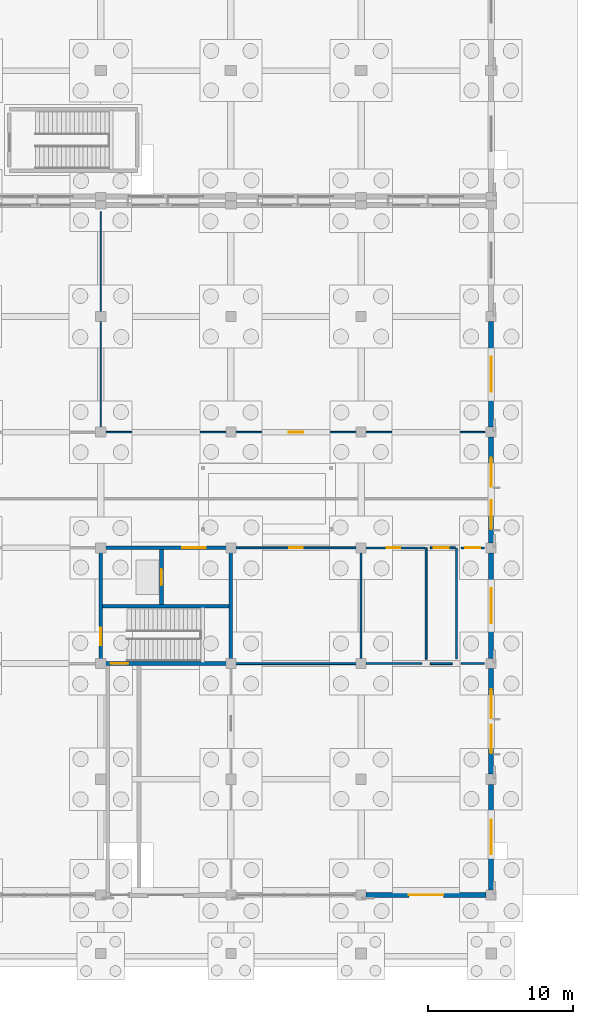
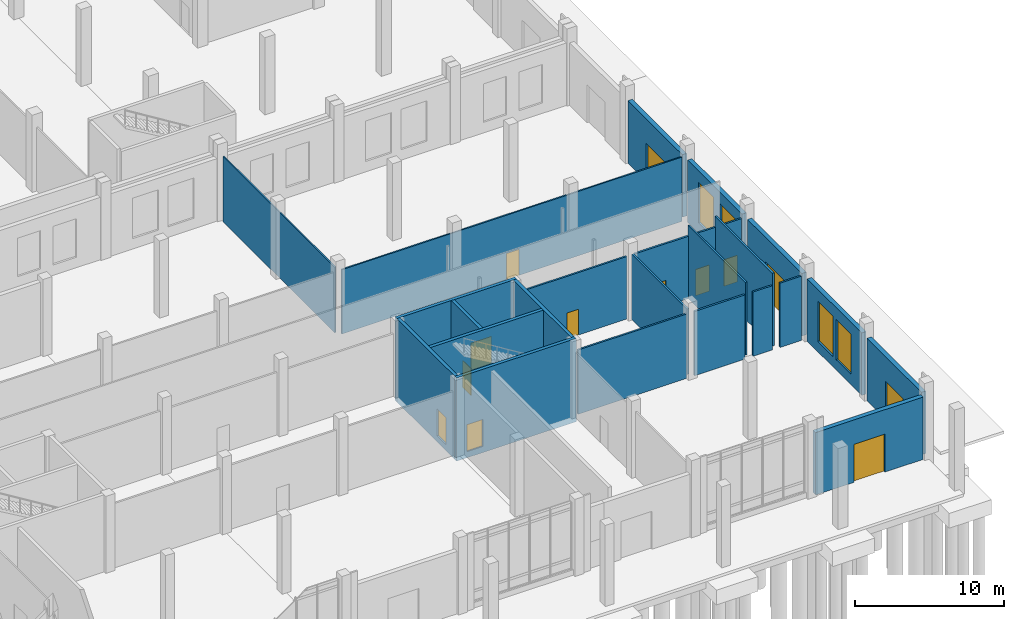
# One storey, part 68 of 99: 25 walls, 13 doors, 4 windows, 17 openings.
"""IFC4 building model written with IfcOpenShell, lengths in metres."""

from ifc_helpers import new_model, si_unit, direction, frame, frame_2d, origin, place, context, subcontext, project, spatial, rectangle, extrude, material, layer, layer_set, type_object, element, fill, save


model = new_model("IFC4")

# Units and contexts
model_context = context("Model", 3, precision=1e-05, world=origin(), true_north=direction((0.0, 1.0)))
body_context = subcontext(model_context, "Body", "Model", "MODEL_VIEW")
ifc_project = project(units=[si_unit("LENGTHUNIT", "METRE"), si_unit("AREAUNIT", "SQUARE_METRE"), si_unit("VOLUMEUNIT", "CUBIC_METRE"), si_unit("PLANEANGLEUNIT", "RADIAN"), si_unit("MASSUNIT", "GRAM", prefix="KILO")], contexts=[model_context])

# Site, building, storey
site_placement = place(None, origin())
site = spatial("IfcSite", under=ifc_project, at=site_placement, CompositionType="ELEMENT")
building_placement = place(site_placement, origin())
building = spatial("IfcBuilding", under=site, at=building_placement, Name="Zacnel Wholesale Market", CompositionType="ELEMENT")
storey_placement = place(building_placement, origin())
storey = spatial("IfcBuildingStorey", under=building, at=storey_placement, Name="L01", CompositionType="ELEMENT", Elevation=0.0)

# Wall, opening, door
ifc_material_1 = material(Name="Concrete C40/50", Category="concrete")
ifc_layer_1 = layer(ifc_material_1, 0.25)
ifc_layer_set_1 = layer_set([ifc_layer_1], Name="Concrete C40/50")
wall_type_1 = type_object("IfcWallType", Name="WL-CORE-SW250", PredefinedType="SOLIDWALL", material=ifc_layer_set_1)
wall_1_placement = place(storey_placement, frame((198.125, 16.0, -0.5), z_axis=(0.0, 0.0, 1.0), x_axis=(-1.0, 0.0, 0.0)))
wall_1 = element("IfcWall", 1, at=wall_1_placement, inside=storey, type_object=wall_type_1, Name="Core C2 south shear wall L01", PredefinedType="SOLIDWALL", context=body_context, shape_type="SweptSolid", body=[
    extrude(rectangle(XDim=9.25, YDim=0.25, at=frame_2d((4.625, 0.0))), origin(), (0.0, 0.0, 1.0), 6.800048828125),
])
opening_1_placement = place(wall_1_placement, frame((7.22509765625, 0.0, 0.5)))
opening_1 = element("IfcOpeningElement", 2, at=opening_1_placement, cuts=wall_1, Name="Opening FD-01", PredefinedType="OPENING", context=body_context, shape_type="SweptSolid", body=[
    extrude(rectangle(XDim=1.199951171875, YDim=2.199951171875, at=frame_2d((0.60009765625, 1.10009765625))), frame((0.0, 0.135009765625, 0.0), z_axis=(0.0, -1.0, 0.0), x_axis=(1.0, 0.0, 0.0)), (0.0, 0.0, 1.0), 0.27001953125),
])
ifc_material_2 = material(Name="Galvanized steel", Category="steel")
door_type_1 = type_object("IfcDoorType", Name="DR-FIRE-STAIR-1200", OperationType="NOTDEFINED", PredefinedType="DOOR", material=ifc_material_2)
door_1_placement = place(opening_1_placement, origin())
door_1 = element("IfcDoor", 3, at=door_1_placement, inside=storey, type_object=door_type_1, Name="Protected stair exit passage fire door C2 L01", OperationType="SINGLE_SWING_LEFT", OverallHeight=2.199951171875, OverallWidth=1.199951171875, PredefinedType="DOOR", context=body_context, shape_type="SweptSolid", body=[
    extrude(rectangle(XDim=1.199951171875, YDim=2.199951171875, at=frame_2d((0.60009765625, 1.10009765625))), frame((0.0, 0.02490234375, 0.0), z_axis=(0.0, -1.0, 0.0), x_axis=(1.0, 0.0, 0.0)), (0.0, 0.0, 1.0), 0.050048828125),
])
fill(opening_1, door_1)

wall_2_placement = place(storey_placement, frame((188.875, 24.0, -0.5), z_axis=(0.0, 0.0, 1.0), x_axis=(1.0, 0.0, 0.0)))
wall_2 = element("IfcWall", 4, at=wall_2_placement, inside=storey, type_object=wall_type_1, Name="Core C2 north shear wall L01", PredefinedType="SOLIDWALL", context=body_context, shape_type="SweptSolid", body=[
    extrude(rectangle(XDim=9.25, YDim=0.25, at=frame_2d((4.625, 0.0))), origin(), (0.0, 0.0, 1.0), 6.800048828125),
])
opening_2_placement = place(wall_2_placement, frame((5.77490234375, 0.0, 0.5)))
opening_2 = element("IfcOpeningElement", 5, at=opening_2_placement, cuts=wall_2, Name="Opening FD-02", PredefinedType="OPENING", context=body_context, shape_type="SweptSolid", body=[
    extrude(rectangle(XDim=1.60009765625, YDim=2.199951171875, at=frame_2d((0.800048828125, 1.10009765625))), frame((0.0, 0.135009765625, 0.0), z_axis=(0.0, -1.0, 0.0), x_axis=(1.0, 0.0, 0.0)), (0.0, 0.0, 1.0), 0.27001953125),
])
ifc_material_3 = material(Name="Galvanized steel", Category="steel")
door_type_2 = type_object("IfcDoorType", Name="DR-FIRE-LOBBY-1600", OperationType="NOTDEFINED", PredefinedType="DOOR", material=ifc_material_3)
door_2_placement = place(opening_2_placement, origin())
door_2 = element("IfcDoor", 6, at=door_2_placement, inside=storey, type_object=door_type_2, Name="Core lift lobby fire door C2 L01", OperationType="SINGLE_SWING_RIGHT", OverallHeight=2.199951171875, OverallWidth=1.60009765625, PredefinedType="DOOR", context=body_context, shape_type="SweptSolid", body=[
    extrude(rectangle(XDim=1.60009765625, YDim=2.199951171875, at=frame_2d((0.800048828125, 1.10009765625))), frame((0.0, 0.02490234375, 0.0), z_axis=(0.0, -1.0, 0.0), x_axis=(1.0, 0.0, 0.0)), (0.0, 0.0, 1.0), 0.050048828125),
])
fill(opening_2, door_2)

wall_3_placement = place(storey_placement, frame((189.0, 16.125, -0.5), z_axis=(0.0, 0.0, 1.0), x_axis=(0.0, 1.0, 0.0)))
wall_3 = element("IfcWall", 7, at=wall_3_placement, inside=storey, type_object=wall_type_1, Name="Core C2 west shear wall L01", PredefinedType="SOLIDWALL", context=body_context, shape_type="SweptSolid", body=[
    extrude(rectangle(XDim=7.75, YDim=0.25, at=frame_2d((3.875, 0.0))), origin(), (0.0, 0.0, 1.0), 6.800048828125),
])
opening_3_placement = place(wall_3_placement, frame((1.14990234375, 0.0, 0.5)))
opening_3 = element("IfcOpeningElement", 8, at=opening_3_placement, cuts=wall_3, Name="Opening FD-01", PredefinedType="OPENING", context=body_context, shape_type="SweptSolid", body=[
    extrude(rectangle(XDim=1.199951171875, YDim=2.199951171875, at=frame_2d((0.60009765625, 1.10009765625))), frame((0.0, 0.135009765625, 0.0), z_axis=(0.0, -1.0, 0.0), x_axis=(1.0, 0.0, 0.0)), (0.0, 0.0, 1.0), 0.27001953125),
])
door_3_placement = place(opening_3_placement, origin())
door_3 = element("IfcDoor", 9, at=door_3_placement, inside=storey, type_object=door_type_1, Name="Protected stair fire door C2 L01", OperationType="SINGLE_SWING_LEFT", OverallHeight=2.199951171875, OverallWidth=1.199951171875, PredefinedType="DOOR", context=body_context, shape_type="SweptSolid", body=[
    extrude(rectangle(XDim=1.199951171875, YDim=2.199951171875, at=frame_2d((0.60009765625, 1.10009765625))), frame((0.0, 0.02490234375, 0.0), z_axis=(0.0, -1.0, 0.0), x_axis=(1.0, 0.0, 0.0)), (0.0, 0.0, 1.0), 0.050048828125),
])
fill(opening_3, door_3)

# Walls
wall_4_placement = place(storey_placement, frame((198.0, 16.125, -0.5), z_axis=(0.0, 0.0, 1.0), x_axis=(0.0, 1.0, 0.0)))
element("IfcWall", 10, at=wall_4_placement, inside=storey, type_object=wall_type_1, Name="Core C2 east shear wall L01", PredefinedType="SOLIDWALL", context=body_context, shape_type="SweptSolid", body=[
    extrude(rectangle(XDim=7.75, YDim=0.25, at=frame_2d((3.875, 0.0))), origin(), (0.0, 0.0, 1.0), 6.800048828125),
])
wall_5_placement = place(storey_placement, frame((189.125, 19.949951171875, -0.5), z_axis=(0.0, 0.0, 1.0), x_axis=(1.0, 0.0, 0.0)))
element("IfcWall", 11, at=wall_5_placement, inside=storey, type_object=wall_type_1, Name="Core C2 stair-shaft shear wall L01", PredefinedType="SOLIDWALL", context=body_context, shape_type="SweptSolid", body=[
    extrude(rectangle(XDim=8.75, YDim=0.25, at=frame_2d((4.375, 0.0))), origin(), (0.0, 0.0, 1.0), 6.800048828125),
])

# Wall, opening, door
wall_6_placement = place(storey_placement, frame((193.199951171875, 20.074951171875, -0.5), z_axis=(0.0, 0.0, 1.0), x_axis=(0.0, 1.0, 0.0)))
wall_6 = element("IfcWall", 12, at=wall_6_placement, inside=storey, type_object=wall_type_1, Name="Core C2 lift shaft front wall L01", PredefinedType="SOLIDWALL", context=body_context, shape_type="SweptSolid", body=[
    extrude(rectangle(XDim=3.800048828125, YDim=0.25, at=frame_2d((1.89990234375, 0.0))), origin(), (0.0, 0.0, 1.0), 6.800048828125),
])
opening_4_placement = place(wall_6_placement, frame((1.35009765625, 0.0, 0.5)))
opening_4 = element("IfcOpeningElement", 13, at=opening_4_placement, cuts=wall_6, Name="Opening LD-01", PredefinedType="OPENING", context=body_context, shape_type="SweptSolid", body=[
    extrude(rectangle(XDim=1.10009765625, YDim=2.199951171875, at=frame_2d((0.550048828125, 1.10009765625))), frame((0.0, 0.135009765625, 0.0), z_axis=(0.0, -1.0, 0.0), x_axis=(1.0, 0.0, 0.0)), (0.0, 0.0, 1.0), 0.27001953125),
])
ifc_material_4 = material(Name="Galvanized steel", Category="steel")
door_type_3 = type_object("IfcDoorType", Name="DR-LIFT-PASS-1100", OperationType="NOTDEFINED", PredefinedType="DOOR", material=ifc_material_4)
door_4_placement = place(opening_4_placement, origin())
door_4 = element("IfcDoor", 14, at=door_4_placement, inside=storey, type_object=door_type_3, Name="Lift landing door LP-02 L01", OperationType="SLIDING_TO_LEFT", OverallHeight=2.199951171875, OverallWidth=1.10009765625, PredefinedType="DOOR", context=body_context, shape_type="SweptSolid", body=[
    extrude(rectangle(XDim=1.10009765625, YDim=2.199951171875, at=frame_2d((0.550048828125, 1.10009765625))), frame((0.0, 0.02490234375, 0.0), z_axis=(0.0, -1.0, 0.0), x_axis=(1.0, 0.0, 0.0)), (0.0, 0.0, 1.0), 0.050048828125),
])
fill(opening_4, door_4)

ifc_material_5 = material(Name="Precast concrete C40/50 (Cancun limestone aggregate)", Category="masonry")
ifc_layer_2 = layer(ifc_material_5, 0.340087890625)
ifc_layer_set_2 = layer_set([ifc_layer_2], Name="Precast concrete C40/50 (Cancun limestone aggregate)")
wall_type_2 = type_object("IfcWallType", Name="WL-EXT-LIME-340", PredefinedType="SOLIDWALL", material=ifc_layer_set_2)
wall_7_placement = place(storey_placement, frame((207.35009765625, 0.0, 0.0), z_axis=(0.0, 0.0, 1.0), x_axis=(1.0, 0.0, 0.0)))
wall_7 = element("IfcWall", 15, at=wall_7_placement, inside=storey, type_object=wall_type_2, Name="Exterior wall L01-0103", PredefinedType="SOLIDWALL", context=body_context, shape_type="SweptSolid", body=[
    extrude(rectangle(XDim=8.2998046875, YDim=0.340087890625, at=frame_2d((4.14990234375, 0.0))), origin(), (0.0, 0.0, 1.0), 5.10009765625),
])
opening_5_placement = place(wall_7_placement, frame((2.949951171875, 0.0, 0.0)))
opening_5 = element("IfcOpeningElement", 16, at=opening_5_placement, cuts=wall_7, Name="Opening ED-01", PredefinedType="OPENING", context=body_context, shape_type="SweptSolid", body=[
    extrude(rectangle(XDim=2.39990234375, YDim=3.10009765625, at=frame_2d((1.199951171875, 1.550048828125))), frame((0.0, 0.179931640625, 0.0), z_axis=(0.0, -1.0, 0.0), x_axis=(1.0, 0.0, 0.0)), (0.0, 0.0, 1.0), 0.360107421875),
])
ifc_material_6 = material(Name="Anodised aluminium", Category="aluminium")
door_type_4 = type_object("IfcDoorType", Name="DR-EXT-PORTAL-2400", OperationType="NOTDEFINED", PredefinedType="DOOR", material=ifc_material_6)
door_5_placement = place(opening_5_placement, origin())
door_5 = element("IfcDoor", 17, at=door_5_placement, inside=storey, type_object=door_type_4, Name="Boulevard entrance portal 029", OperationType="DOUBLE_DOOR_SINGLE_SWING", OverallHeight=3.10009765625, OverallWidth=2.39990234375, PredefinedType="DOOR", context=body_context, shape_type="SweptSolid", body=[
    extrude(rectangle(XDim=2.39990234375, YDim=3.10009765625, at=frame_2d((1.199951171875, 1.550048828125))), frame((0.0, 0.02490234375, 0.0), z_axis=(0.0, -1.0, 0.0), x_axis=(1.0, 0.0, 0.0)), (0.0, 0.0, 1.0), 0.050048828125),
])
fill(opening_5, door_5)

wall_8_placement = place(storey_placement, frame((216.0, 0.35009765625, 0.0), z_axis=(0.0, 0.0, 1.0), x_axis=(0.0, 1.0, 0.0)))
wall_8 = element("IfcWall", 18, at=wall_8_placement, inside=storey, type_object=wall_type_2, Name="Exterior wall L01-0118", PredefinedType="SOLIDWALL", context=body_context, shape_type="SweptSolid", body=[
    extrude(rectangle(XDim=7.2998046875, YDim=0.340087890625, at=frame_2d((3.64990234375, 0.0))), origin(), (0.0, 0.0, 1.0), 5.10009765625),
])
opening_6_placement = place(wall_8_placement, frame((2.449951171875, 0.0, 0.0)))
opening_6 = element("IfcOpeningElement", 19, at=opening_6_placement, cuts=wall_8, Name="Opening ED-01", PredefinedType="OPENING", context=body_context, shape_type="SweptSolid", body=[
    extrude(rectangle(XDim=2.39990234375, YDim=3.10009765625, at=frame_2d((1.199951171875, 1.550048828125))), frame((0.0, 0.179931640625, 0.0), z_axis=(0.0, -1.0, 0.0), x_axis=(1.0, 0.0, 0.0)), (0.0, 0.0, 1.0), 0.360107421875),
])
door_6_placement = place(opening_6_placement, origin())
door_6 = element("IfcDoor", 20, at=door_6_placement, inside=storey, type_object=door_type_4, Name="Boulevard entrance portal 030", OperationType="DOUBLE_DOOR_SINGLE_SWING", OverallHeight=3.10009765625, OverallWidth=2.39990234375, PredefinedType="DOOR", context=body_context, shape_type="SweptSolid", body=[
    extrude(rectangle(XDim=2.39990234375, YDim=3.10009765625, at=frame_2d((1.199951171875, 1.550048828125))), frame((0.0, 0.02490234375, 0.0), z_axis=(0.0, -1.0, 0.0), x_axis=(1.0, 0.0, 0.0)), (0.0, 0.0, 1.0), 0.050048828125),
])
fill(opening_6, door_6)

# Wall, openings, windows
wall_9_placement = place(storey_placement, frame((216.0, 8.35009765625, 0.0), z_axis=(0.0, 0.0, 1.0), x_axis=(0.0, 1.0, 0.0)))
wall_9 = element("IfcWall", 21, at=wall_9_placement, inside=storey, type_object=wall_type_2, Name="Exterior wall L01-0119", PredefinedType="SOLIDWALL", context=body_context, shape_type="SweptSolid", body=[
    extrude(rectangle(XDim=7.2998046875, YDim=0.340087890625, at=frame_2d((3.64990234375, 0.0))), origin(), (0.0, 0.0, 1.0), 5.10009765625),
])
opening_7_placement = place(wall_9_placement, frame((1.43310546875, 0.0, 0.85009765625)))
opening_7 = element("IfcOpeningElement", 22, at=opening_7_placement, cuts=wall_9, Name="Opening W-02", PredefinedType="OPENING", context=body_context, shape_type="SweptSolid", body=[
    extrude(rectangle(XDim=2.0, YDim=3.300048828125, at=frame_2d((1.0, 1.64990234375))), frame((0.0, 0.179931640625, 0.0), z_axis=(0.0, -1.0, 0.0), x_axis=(1.0, 0.0, 0.0)), (0.0, 0.0, 1.0), 0.360107421875),
])
opening_8_placement = place(wall_9_placement, frame((3.866943359375, 0.0, 0.85009765625)))
opening_8 = element("IfcOpeningElement", 23, at=opening_8_placement, cuts=wall_9, Name="Opening W-02", PredefinedType="OPENING", context=body_context, shape_type="SweptSolid", body=[
    extrude(rectangle(XDim=2.0, YDim=3.300048828125, at=frame_2d((1.0, 1.64990234375))), frame((0.0, 0.179931640625, 0.0), z_axis=(0.0, -1.0, 0.0), x_axis=(1.0, 0.0, 0.0)), (0.0, 0.0, 1.0), 0.360107421875),
])
ifc_material_7 = material(Name="Laminated hurricane-impact low-E insulated glass", Category="glass")
window_type = type_object("IfcWindowType", Name="WIN-DEC-2000X3300", PartitioningType="DOUBLE_PANEL_VERTICAL", PredefinedType="WINDOW", material=ifc_material_7)
window_1_placement = place(opening_7_placement, origin())
window_1 = element("IfcWindow", 24, at=window_1_placement, inside=storey, type_object=window_type, Name="Window L01-0118", OverallHeight=3.300048828125, OverallWidth=2.0, PartitioningType="DOUBLE_PANEL_VERTICAL", PredefinedType="WINDOW", context=body_context, shape_type="SweptSolid", body=[
    extrude(rectangle(XDim=2.0, YDim=3.300048828125, at=frame_2d((1.0, 1.64990234375))), frame((0.0, 0.030029296875, 0.0), z_axis=(0.0, -1.0, 0.0), x_axis=(1.0, 0.0, 0.0)), (0.0, 0.0, 1.0), 0.06005859375),
])
fill(opening_7, window_1)
window_2_placement = place(opening_8_placement, origin())
window_2 = element("IfcWindow", 25, at=window_2_placement, inside=storey, type_object=window_type, Name="Window L01-0119", OverallHeight=3.300048828125, OverallWidth=2.0, PartitioningType="DOUBLE_PANEL_VERTICAL", PredefinedType="WINDOW", context=body_context, shape_type="SweptSolid", body=[
    extrude(rectangle(XDim=2.0, YDim=3.300048828125, at=frame_2d((1.0, 1.64990234375))), frame((0.0, 0.030029296875, 0.0), z_axis=(0.0, -1.0, 0.0), x_axis=(1.0, 0.0, 0.0)), (0.0, 0.0, 1.0), 0.06005859375),
])
fill(opening_8, window_2)

# Wall, opening, door
wall_10_placement = place(storey_placement, frame((216.0, 16.35009765625, 0.0), z_axis=(0.0, 0.0, 1.0), x_axis=(0.0, 1.0, 0.0)))
wall_10 = element("IfcWall", 26, at=wall_10_placement, inside=storey, type_object=wall_type_2, Name="Exterior wall L01-0120", PredefinedType="SOLIDWALL", context=body_context, shape_type="SweptSolid", body=[
    extrude(rectangle(XDim=7.2998046875, YDim=0.340087890625, at=frame_2d((3.64990234375, 0.0))), origin(), (0.0, 0.0, 1.0), 5.10009765625),
])
opening_9_placement = place(wall_10_placement, frame((2.449951171875, 0.0, 0.0)))
opening_9 = element("IfcOpeningElement", 27, at=opening_9_placement, cuts=wall_10, Name="Opening ED-01", PredefinedType="OPENING", context=body_context, shape_type="SweptSolid", body=[
    extrude(rectangle(XDim=2.39990234375, YDim=3.10009765625, at=frame_2d((1.199951171875, 1.550048828125))), frame((0.0, 0.179931640625, 0.0), z_axis=(0.0, -1.0, 0.0), x_axis=(1.0, 0.0, 0.0)), (0.0, 0.0, 1.0), 0.360107421875),
])
door_7_placement = place(opening_9_placement, origin())
door_7 = element("IfcDoor", 28, at=door_7_placement, inside=storey, type_object=door_type_4, Name="Boulevard entrance portal 031", OperationType="DOUBLE_DOOR_SINGLE_SWING", OverallHeight=3.10009765625, OverallWidth=2.39990234375, PredefinedType="DOOR", context=body_context, shape_type="SweptSolid", body=[
    extrude(rectangle(XDim=2.39990234375, YDim=3.10009765625, at=frame_2d((1.199951171875, 1.550048828125))), frame((0.0, 0.02490234375, 0.0), z_axis=(0.0, -1.0, 0.0), x_axis=(1.0, 0.0, 0.0)), (0.0, 0.0, 1.0), 0.050048828125),
])
fill(opening_9, door_7)

# Wall, openings, windows
wall_11_placement = place(storey_placement, frame((216.0, 24.35009765625, 0.0), z_axis=(0.0, 0.0, 1.0), x_axis=(0.0, 1.0, 0.0)))
wall_11 = element("IfcWall", 29, at=wall_11_placement, inside=storey, type_object=wall_type_2, Name="Exterior wall L01-0121", PredefinedType="SOLIDWALL", context=body_context, shape_type="SweptSolid", body=[
    extrude(rectangle(XDim=7.2998046875, YDim=0.340087890625, at=frame_2d((3.64990234375, 0.0))), origin(), (0.0, 0.0, 1.0), 5.10009765625),
])
opening_10_placement = place(wall_11_placement, frame((0.93701171875, 0.0, 0.85009765625)))
opening_10 = element("IfcOpeningElement", 30, at=opening_10_placement, cuts=wall_11, Name="Opening W-02", PredefinedType="OPENING", context=body_context, shape_type="SweptSolid", body=[
    extrude(rectangle(XDim=2.0, YDim=3.300048828125, at=frame_2d((1.0, 1.64990234375))), frame((0.0, 0.179931640625, 0.0), z_axis=(0.0, -1.0, 0.0), x_axis=(1.0, 0.0, 0.0)), (0.0, 0.0, 1.0), 0.360107421875),
])
opening_11_placement = place(wall_11_placement, frame((3.866943359375, 0.0, 0.85009765625)))
opening_11 = element("IfcOpeningElement", 31, at=opening_11_placement, cuts=wall_11, Name="Opening W-02", PredefinedType="OPENING", context=body_context, shape_type="SweptSolid", body=[
    extrude(rectangle(XDim=2.0, YDim=3.300048828125, at=frame_2d((1.0, 1.64990234375))), frame((0.0, 0.179931640625, 0.0), z_axis=(0.0, -1.0, 0.0), x_axis=(1.0, 0.0, 0.0)), (0.0, 0.0, 1.0), 0.360107421875),
])
window_3_placement = place(opening_10_placement, origin())
window_3 = element("IfcWindow", 32, at=window_3_placement, inside=storey, type_object=window_type, Name="Window L01-0120", OverallHeight=3.300048828125, OverallWidth=2.0, PartitioningType="DOUBLE_PANEL_VERTICAL", PredefinedType="WINDOW", context=body_context, shape_type="SweptSolid", body=[
    extrude(rectangle(XDim=2.0, YDim=3.300048828125, at=frame_2d((1.0, 1.64990234375))), frame((0.0, 0.030029296875, 0.0), z_axis=(0.0, -1.0, 0.0), x_axis=(1.0, 0.0, 0.0)), (0.0, 0.0, 1.0), 0.06005859375),
])
fill(opening_10, window_3)
window_4_placement = place(opening_11_placement, origin())
window_4 = element("IfcWindow", 33, at=window_4_placement, inside=storey, type_object=window_type, Name="Window L01-0121", OverallHeight=3.300048828125, OverallWidth=2.0, PartitioningType="DOUBLE_PANEL_VERTICAL", PredefinedType="WINDOW", context=body_context, shape_type="SweptSolid", body=[
    extrude(rectangle(XDim=2.0, YDim=3.300048828125, at=frame_2d((1.0, 1.64990234375))), frame((0.0, 0.030029296875, 0.0), z_axis=(0.0, -1.0, 0.0), x_axis=(1.0, 0.0, 0.0)), (0.0, 0.0, 1.0), 0.06005859375),
])
fill(opening_11, window_4)

# Wall, opening, door
wall_12_placement = place(storey_placement, frame((216.0, 32.35009765625, 0.0), z_axis=(0.0, 0.0, 1.0), x_axis=(0.0, 1.0, 0.0)))
wall_12 = element("IfcWall", 34, at=wall_12_placement, inside=storey, type_object=wall_type_2, Name="Exterior wall L01-0122", PredefinedType="SOLIDWALL", context=body_context, shape_type="SweptSolid", body=[
    extrude(rectangle(XDim=7.2998046875, YDim=0.340087890625, at=frame_2d((3.64990234375, 0.0))), origin(), (0.0, 0.0, 1.0), 5.10009765625),
])
opening_12_placement = place(wall_12_placement, frame((2.449951171875, 0.0, 0.0)))
opening_12 = element("IfcOpeningElement", 35, at=opening_12_placement, cuts=wall_12, Name="Opening ED-01", PredefinedType="OPENING", context=body_context, shape_type="SweptSolid", body=[
    extrude(rectangle(XDim=2.39990234375, YDim=3.10009765625, at=frame_2d((1.199951171875, 1.550048828125))), frame((0.0, 0.179931640625, 0.0), z_axis=(0.0, -1.0, 0.0), x_axis=(1.0, 0.0, 0.0)), (0.0, 0.0, 1.0), 0.360107421875),
])
door_8_placement = place(opening_12_placement, origin())
door_8 = element("IfcDoor", 36, at=door_8_placement, inside=storey, type_object=door_type_4, Name="Boulevard entrance portal 032", OperationType="DOUBLE_DOOR_SINGLE_SWING", OverallHeight=3.10009765625, OverallWidth=2.39990234375, PredefinedType="DOOR", context=body_context, shape_type="SweptSolid", body=[
    extrude(rectangle(XDim=2.39990234375, YDim=3.10009765625, at=frame_2d((1.199951171875, 1.550048828125))), frame((0.0, 0.02490234375, 0.0), z_axis=(0.0, -1.0, 0.0), x_axis=(1.0, 0.0, 0.0)), (0.0, 0.0, 1.0), 0.050048828125),
])
fill(opening_12, door_8)

# Wall
ifc_material_8 = material(Name="Moisture-resistant gypsum board partition")
ifc_layer_3 = layer(ifc_material_8, 0.10009765625)
ifc_layer_set_3 = layer_set([ifc_layer_3], Name="Moisture-resistant gypsum board partition")
wall_type_3 = type_object("IfcWallType", Name="WL-PART-GYP100", PredefinedType="PARTITIONING", material=ifc_layer_set_3)
wall_13_placement = place(storey_placement, frame((189.0, 32.300048828125, 0.0), z_axis=(0.0, 0.0, 1.0), x_axis=(0.0, 1.0, 0.0)))
element("IfcWall", 37, at=wall_13_placement, inside=storey, type_object=wall_type_3, Name="Interior partition L01-0056", PredefinedType="PARTITIONING", context=body_context, shape_type="SweptSolid", body=[
    extrude(rectangle(XDim=14.949951171875, YDim=0.10009765625, at=frame_2d((7.47509765625, 0.0))), origin(), (0.0, 0.0, 1.0), 5.35009765625),
])

# Wall, opening, door
ifc_material_9 = material(Name="Moisture-resistant gypsum board partition")
ifc_layer_4 = layer(ifc_material_9, 0.110107421875)
ifc_layer_set_4 = layer_set([ifc_layer_4], Name="Moisture-resistant gypsum board partition")
wall_type_4 = type_object("IfcWallType", Name="WL-PART-GYP110", PredefinedType="PARTITIONING", material=ifc_layer_set_4)
wall_14_placement = place(storey_placement, frame((189.300048828125, 32.0, 0.0), z_axis=(0.0, 0.0, 1.0), x_axis=(1.0, 0.0, 0.0)))
wall_14 = element("IfcWall", 38, at=wall_14_placement, inside=storey, type_object=wall_type_4, Name="Interior partition L01-0051", PredefinedType="PARTITIONING", context=body_context, shape_type="SweptSolid", body=[
    extrude(rectangle(XDim=26.25, YDim=0.110107421875, at=frame_2d((13.125, 0.0))), origin(), (0.0, 0.0, 1.0), 5.25),
])
opening_13_placement = place(wall_14_placement, frame((12.7099609375, 0.0, 0.0)))
opening_13 = element("IfcOpeningElement", 39, at=opening_13_placement, cuts=wall_14, Name="Opening ID-04", PredefinedType="OPENING", context=body_context, shape_type="SweptSolid", body=[
    extrude(rectangle(XDim=0.97998046875, YDim=2.1201171875, at=frame_2d((0.489990234375, 1.06005859375))), frame((0.0, 0.06494140625, 0.0), z_axis=(0.0, -1.0, 0.0), x_axis=(1.0, 0.0, 0.0)), (0.0, 0.0, 1.0), 0.130126953125),
])
ifc_material_10 = material(Name="Solid-core tropical hardwood door", Category="wood")
door_type_5 = type_object("IfcDoorType", Name="DR-OFF-SGL-980", OperationType="NOTDEFINED", PredefinedType="DOOR", material=ifc_material_10)
door_9_placement = place(opening_13_placement, origin())
door_9 = element("IfcDoor", 40, at=door_9_placement, inside=storey, type_object=door_type_5, Name="Interior door L01-0042", OperationType="SINGLE_SWING_LEFT", OverallHeight=2.1201171875, OverallWidth=0.97998046875, PredefinedType="DOOR", context=body_context, shape_type="SweptSolid", body=[
    extrude(rectangle(XDim=0.97998046875, YDim=2.1201171875, at=frame_2d((0.489990234375, 1.06005859375))), frame((0.0, 0.02490234375, 0.0), z_axis=(0.0, -1.0, 0.0), x_axis=(1.0, 0.0, 0.0)), (0.0, 0.0, 1.0), 0.050048828125),
])
fill(opening_13, door_9)

# Wall
ifc_material_11 = material(Name="Moisture-resistant gypsum board partition")
ifc_layer_5 = layer(ifc_material_11, 0.139892578125)
ifc_layer_set_5 = layer_set([ifc_layer_5], Name="Moisture-resistant gypsum board partition")
wall_type_5 = type_object("IfcWallType", Name="WL-PART-GYP140", PredefinedType="PARTITIONING", material=ifc_layer_set_5)
wall_15_placement = place(storey_placement, frame((213.89990234375, 16.0, 0.0), z_axis=(0.0, 0.0, 1.0), x_axis=(1.0, 0.0, 0.0)))
element("IfcWall", 41, at=wall_15_placement, inside=storey, type_object=wall_type_5, Name="Interior partition L01-0041", PredefinedType="PARTITIONING", context=body_context, shape_type="SweptSolid", body=[
    extrude(rectangle(XDim=1.650146484375, YDim=0.139892578125, at=frame_2d((0.8251953125, 0.0))), origin(), (0.0, 0.0, 1.0), 5.25),
])

# Wall, opening, door
wall_16_placement = place(storey_placement, frame((213.89990234375, 24.0, 0.0), z_axis=(0.0, 0.0, 1.0), x_axis=(1.0, 0.0, 0.0)))
wall_16 = element("IfcWall", 42, at=wall_16_placement, inside=storey, type_object=wall_type_5, Name="Interior partition L01-0049", PredefinedType="PARTITIONING", context=body_context, shape_type="SweptSolid", body=[
    extrude(rectangle(XDim=1.650146484375, YDim=0.139892578125, at=frame_2d((0.8251953125, 0.0))), origin(), (0.0, 0.0, 1.0), 5.10009765625),
])
opening_14_placement = place(wall_16_placement, frame((0.31494140625, 0.0, 0.0)))
opening_14 = element("IfcOpeningElement", 43, at=opening_14_placement, cuts=wall_16, Name="Opening ID-12", PredefinedType="OPENING", context=body_context, shape_type="SweptSolid", body=[
    extrude(rectangle(XDim=1.02001953125, YDim=2.179931640625, at=frame_2d((0.510009765625, 1.08984375))), frame((0.0, 0.079833984375, 0.0), z_axis=(0.0, -1.0, 0.0), x_axis=(1.0, 0.0, 0.0)), (0.0, 0.0, 1.0), 0.159912109375),
])
ifc_material_12 = material(Name="Solid-core tropical hardwood door", Category="wood")
door_type_6 = type_object("IfcDoorType", Name="DR-OFF-SGL-1020", OperationType="NOTDEFINED", PredefinedType="DOOR", material=ifc_material_12)
door_10_placement = place(opening_14_placement, origin())
door_10 = element("IfcDoor", 44, at=door_10_placement, inside=storey, type_object=door_type_6, Name="Interior door L01-0040", OperationType="SINGLE_SWING_LEFT", OverallHeight=2.179931640625, OverallWidth=1.02001953125, PredefinedType="DOOR", context=body_context, shape_type="SweptSolid", body=[
    extrude(rectangle(XDim=1.02001953125, YDim=2.179931640625, at=frame_2d((0.510009765625, 1.08984375))), frame((0.0, 0.02490234375, 0.0), z_axis=(0.0, -1.0, 0.0), x_axis=(1.0, 0.0, 0.0)), (0.0, 0.0, 1.0), 0.050048828125),
])
fill(opening_14, door_10)

# Walls
ifc_material_13 = material(Name="Concrete blockwork masonry", Category="masonry")
ifc_layer_6 = layer(ifc_material_13, 0.135009765625)
ifc_layer_set_6 = layer_set([ifc_layer_6], Name="Concrete blockwork masonry")
wall_type_6 = type_object("IfcWallType", Name="WL-PART-MAS135", PredefinedType="PARTITIONING", material=ifc_layer_set_6)
wall_17_placement = place(storey_placement, frame((198.300048828125, 16.0, 0.0), z_axis=(0.0, 0.0, 1.0), x_axis=(1.0, 0.0, 0.0)))
element("IfcWall", 45, at=wall_17_placement, inside=storey, type_object=wall_type_6, Name="Interior partition L01-0038", PredefinedType="PARTITIONING", context=body_context, shape_type="SweptSolid", body=[
    extrude(rectangle(XDim=8.39990234375, YDim=0.135009765625, at=frame_2d((4.199951171875, 0.0))), origin(), (0.0, 0.0, 1.0), 5.25),
])
wall_18_placement = place(storey_placement, frame((211.800048828125, 16.0, 0.0), z_axis=(0.0, 0.0, 1.0), x_axis=(1.0, 0.0, 0.0)))
element("IfcWall", 46, at=wall_18_placement, inside=storey, type_object=wall_type_6, Name="Interior partition L01-0040", PredefinedType="PARTITIONING", context=body_context, shape_type="SweptSolid", body=[
    extrude(rectangle(XDim=1.5, YDim=0.135009765625, at=frame_2d((0.75, 0.0))), origin(), (0.0, 0.0, 1.0), 5.25),
])

# Wall, opening, door
wall_19_placement = place(storey_placement, frame((198.300048828125, 24.0, 0.0), z_axis=(0.0, 0.0, 1.0), x_axis=(1.0, 0.0, 0.0)))
wall_19 = element("IfcWall", 47, at=wall_19_placement, inside=storey, type_object=wall_type_6, Name="Interior partition L01-0046", PredefinedType="PARTITIONING", context=body_context, shape_type="SweptSolid", body=[
    extrude(rectangle(XDim=8.39990234375, YDim=0.135009765625, at=frame_2d((4.199951171875, 0.0))), origin(), (0.0, 0.0, 1.0), 5.10009765625),
])
opening_15_placement = place(wall_19_placement, frame((3.739990234375, 0.0, 0.0)))
opening_15 = element("IfcOpeningElement", 48, at=opening_15_placement, cuts=wall_19, Name="Opening ID-08", PredefinedType="OPENING", context=body_context, shape_type="SweptSolid", body=[
    extrude(rectangle(XDim=0.919921875, YDim=2.10009765625, at=frame_2d((0.4599609375, 1.050048828125))), frame((0.0, 0.077392578125, 0.0), z_axis=(0.0, -1.0, 0.0), x_axis=(1.0, 0.0, 0.0)), (0.0, 0.0, 1.0), 0.155029296875),
])
ifc_material_14 = material(Name="Solid-core tropical hardwood door", Category="wood")
door_type_7 = type_object("IfcDoorType", Name="DR-WC-STD-920", OperationType="NOTDEFINED", PredefinedType="DOOR", material=ifc_material_14)
door_11_placement = place(opening_15_placement, origin())
door_11 = element("IfcDoor", 49, at=door_11_placement, inside=storey, type_object=door_type_7, Name="Interior door L01-0037", OperationType="SINGLE_SWING_RIGHT", OverallHeight=2.10009765625, OverallWidth=0.919921875, PredefinedType="DOOR", context=body_context, shape_type="SweptSolid", body=[
    extrude(rectangle(XDim=0.919921875, YDim=2.10009765625, at=frame_2d((0.4599609375, 1.050048828125))), frame((0.0, 0.02490234375, 0.0), z_axis=(0.0, -1.0, 0.0), x_axis=(1.0, 0.0, 0.0)), (0.0, 0.0, 1.0), 0.050048828125),
])
fill(opening_15, door_11)

wall_20_placement = place(storey_placement, frame((211.800048828125, 24.0, 0.0), z_axis=(0.0, 0.0, 1.0), x_axis=(1.0, 0.0, 0.0)))
wall_20 = element("IfcWall", 50, at=wall_20_placement, inside=storey, type_object=wall_type_6, Name="Interior partition L01-0048", PredefinedType="PARTITIONING", context=body_context, shape_type="SweptSolid", body=[
    extrude(rectangle(XDim=1.724853515625, YDim=0.135009765625, at=frame_2d((0.8623046875, 0.0))), origin(), (0.0, 0.0, 1.0), 5.10009765625),
])
opening_16_placement = place(wall_20_placement, frame((0.22509765625, 0.0, 0.0)))
opening_16 = element("IfcOpeningElement", 51, at=opening_16_placement, cuts=wall_20, Name="Opening ID-07", PredefinedType="OPENING", context=body_context, shape_type="SweptSolid", body=[
    extrude(rectangle(XDim=1.050048828125, YDim=2.14990234375, at=frame_2d((0.52490234375, 1.074951171875))), frame((0.0, 0.077392578125, 0.0), z_axis=(0.0, -1.0, 0.0), x_axis=(1.0, 0.0, 0.0)), (0.0, 0.0, 1.0), 0.155029296875),
])
ifc_material_15 = material(Name="Solid-core tropical hardwood door", Category="wood")
door_type_8 = type_object("IfcDoorType", Name="DR-WC-ACC-1050", OperationType="NOTDEFINED", PredefinedType="DOOR", material=ifc_material_15)
door_12_placement = place(opening_16_placement, origin())
door_12 = element("IfcDoor", 52, at=door_12_placement, inside=storey, type_object=door_type_8, Name="Interior door L01-0039", OperationType="SINGLE_SWING_RIGHT", OverallHeight=2.14990234375, OverallWidth=1.050048828125, PredefinedType="DOOR", context=body_context, shape_type="SweptSolid", body=[
    extrude(rectangle(XDim=1.050048828125, YDim=2.14990234375, at=frame_2d((0.52490234375, 1.074951171875))), frame((0.0, 0.02490234375, 0.0), z_axis=(0.0, -1.0, 0.0), x_axis=(1.0, 0.0, 0.0)), (0.0, 0.0, 1.0), 0.050048828125),
])
fill(opening_16, door_12)

# Walls
wall_21_placement = place(storey_placement, frame((211.5, 16.300048828125, 0.0), z_axis=(0.0, 0.0, 1.0), x_axis=(0.0, 1.0, 0.0)))
element("IfcWall", 53, at=wall_21_placement, inside=storey, type_object=wall_type_6, Name="Interior partition L01-0054", PredefinedType="PARTITIONING", context=body_context, shape_type="SweptSolid", body=[
    extrude(rectangle(XDim=7.699951171875, YDim=0.135009765625, at=frame_2d((3.85009765625, 0.0))), origin(), (0.0, 0.0, 1.0), 5.949951171875),
])
ifc_material_16 = material(Name="Concrete blockwork masonry", Category="masonry")
ifc_layer_7 = layer(ifc_material_16, 0.14990234375)
ifc_layer_set_7 = layer_set([ifc_layer_7], Name="Concrete blockwork masonry")
wall_type_7 = type_object("IfcWallType", Name="WL-PART-MAS150", PredefinedType="PARTITIONING", material=ifc_layer_set_7)
wall_22_placement = place(storey_placement, frame((207.300048828125, 16.0, 0.0), z_axis=(0.0, 0.0, 1.0), x_axis=(1.0, 0.0, 0.0)))
element("IfcWall", 54, at=wall_22_placement, inside=storey, type_object=wall_type_7, Name="Interior partition L01-0039", PredefinedType="PARTITIONING", context=body_context, shape_type="SweptSolid", body=[
    extrude(rectangle(XDim=3.89990234375, YDim=0.14990234375, at=frame_2d((1.949951171875, 0.0))), origin(), (0.0, 0.0, 1.0), 5.25),
])

# Wall, opening, door
wall_23_placement = place(storey_placement, frame((207.300048828125, 24.0, 0.0), z_axis=(0.0, 0.0, 1.0), x_axis=(1.0, 0.0, 0.0)))
wall_23 = element("IfcWall", 55, at=wall_23_placement, inside=storey, type_object=wall_type_7, Name="Interior partition L01-0047", PredefinedType="PARTITIONING", context=body_context, shape_type="SweptSolid", body=[
    extrude(rectangle(XDim=4.132568359375, YDim=0.14990234375, at=frame_2d((2.06640625, 0.0))), origin(), (0.0, 0.0, 1.0), 5.10009765625),
])
opening_17_placement = place(wall_23_placement, frame((1.489990234375, 0.0, 0.0)))
opening_17 = element("IfcOpeningElement", 56, at=opening_17_placement, cuts=wall_23, Name="Opening ID-08", PredefinedType="OPENING", context=body_context, shape_type="SweptSolid", body=[
    extrude(rectangle(XDim=0.919921875, YDim=2.10009765625, at=frame_2d((0.4599609375, 1.050048828125))), frame((0.0, 0.0849609375, 0.0), z_axis=(0.0, -1.0, 0.0), x_axis=(1.0, 0.0, 0.0)), (0.0, 0.0, 1.0), 0.169921875),
])
door_13_placement = place(opening_17_placement, origin())
door_13 = element("IfcDoor", 57, at=door_13_placement, inside=storey, type_object=door_type_7, Name="Interior door L01-0038", OperationType="SINGLE_SWING_LEFT", OverallHeight=2.10009765625, OverallWidth=0.919921875, PredefinedType="DOOR", context=body_context, shape_type="SweptSolid", body=[
    extrude(rectangle(XDim=0.919921875, YDim=2.10009765625, at=frame_2d((0.4599609375, 1.050048828125))), frame((0.0, 0.02490234375, 0.0), z_axis=(0.0, -1.0, 0.0), x_axis=(1.0, 0.0, 0.0)), (0.0, 0.0, 1.0), 0.050048828125),
])
fill(opening_17, door_13)

# Walls
wall_24_placement = place(storey_placement, frame((207.0, 16.300048828125, 0.0), z_axis=(0.0, 0.0, 1.0), x_axis=(0.0, 1.0, 0.0)))
element("IfcWall", 58, at=wall_24_placement, inside=storey, type_object=wall_type_7, Name="Interior partition L01-0053", PredefinedType="PARTITIONING", context=body_context, shape_type="SweptSolid", body=[
    extrude(rectangle(XDim=7.39990234375, YDim=0.14990234375, at=frame_2d((3.699951171875, 0.0))), origin(), (0.0, 0.0, 1.0), 5.35009765625),
])
wall_25_placement = place(storey_placement, frame((213.60009765625, 16.300048828125, 0.0), z_axis=(0.0, 0.0, 1.0), x_axis=(0.0, 1.0, 0.0)))
element("IfcWall", 59, at=wall_25_placement, inside=storey, type_object=wall_type_7, Name="Interior partition L01-0055", PredefinedType="PARTITIONING", context=body_context, shape_type="SweptSolid", body=[
    extrude(rectangle(XDim=7.699951171875, YDim=0.14990234375, at=frame_2d((3.85009765625, 0.0))), origin(), (0.0, 0.0, 1.0), 5.949951171875),
])

save(model, "model.ifc")
